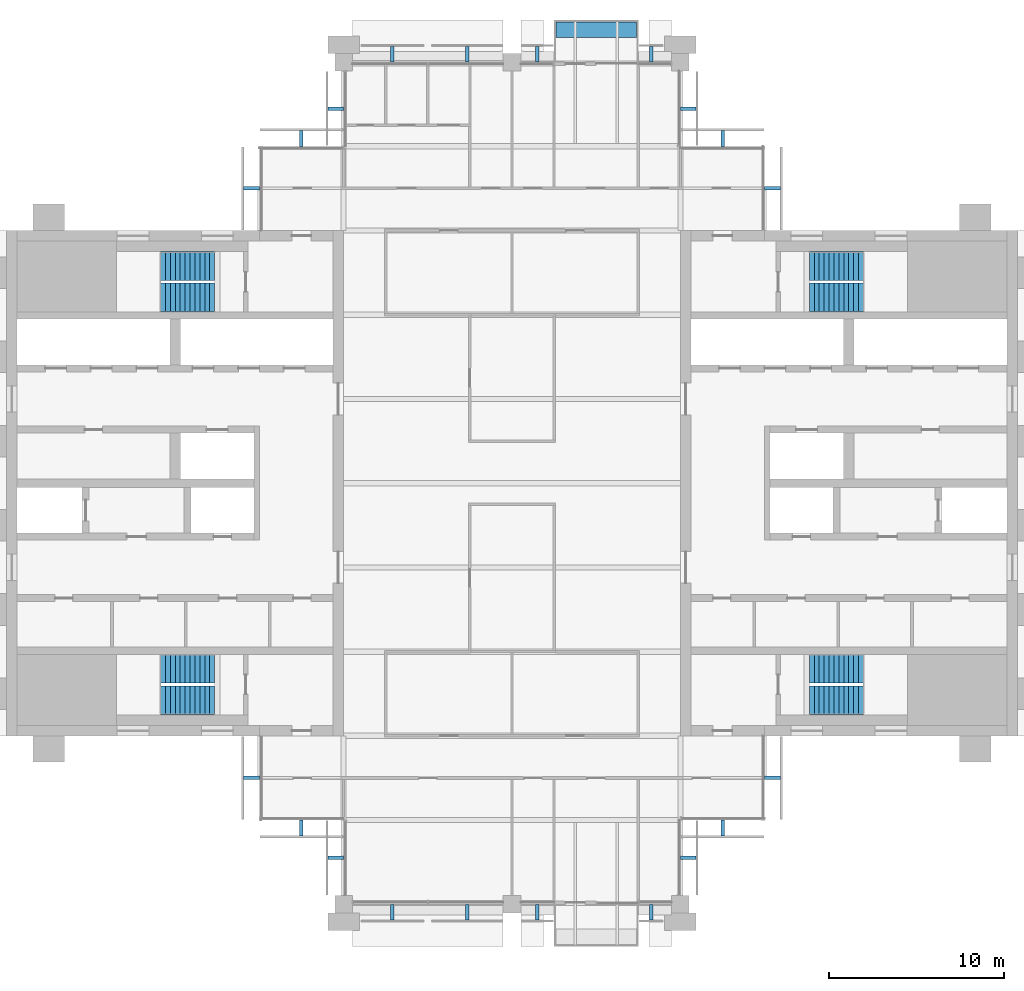
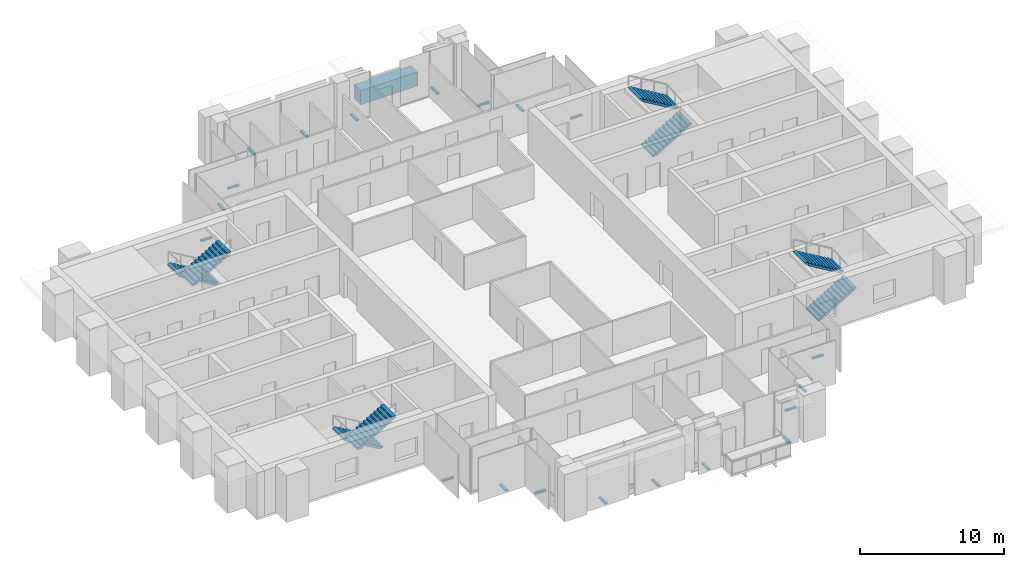
# One storey, part 12 of 13: 20 discrete accessories, 8 stair flights, 1 wall, 4 elements without a shape of their own.
"""IFC4 building model written with IfcOpenShell, lengths in metres."""

from ifc_helpers import new_model, si_unit, direction, frame, frame_2d, origin, origin_2d, place, context, subcontext, project, spatial, polyline, rectangle, outline, extrude, material, layer, layer_set, type_object, element, aggregate, save


model = new_model("IFC4")

# Units and contexts
model_context = context("Model", 3, precision=1e-05, world=origin(), true_north=direction((0.0, 1.0)))
body_context = subcontext(model_context, "Body", "Model", "MODEL_VIEW")
ifc_project = project(units=[si_unit("LENGTHUNIT", "METRE"), si_unit("AREAUNIT", "SQUARE_METRE"), si_unit("VOLUMEUNIT", "CUBIC_METRE"), si_unit("PLANEANGLEUNIT", "RADIAN"), si_unit("MASSUNIT", "GRAM", prefix="KILO")], contexts=[model_context])

# Site, building, storey
site_placement = place(None, origin())
site = spatial("IfcSite", under=ifc_project, at=site_placement, CompositionType="ELEMENT")
building_placement = place(site_placement, origin())
building = spatial("IfcBuilding", under=site, at=building_placement, Name="Baori Bourse Tower", CompositionType="ELEMENT")
storey_placement = place(building_placement, frame((0.0, 0.0, 302.300048828125)))
storey = spatial("IfcBuildingStorey", under=building, at=storey_placement, Name="L66", CompositionType="ELEMENT", Elevation=302.300048828125)

# Wall
ifc_material_1 = material(Name="Concrete f'c 40 MPa", Category="concrete")
ifc_layer = layer(ifc_material_1, 0.89990234375)
ifc_layer_set = layer_set([ifc_layer], Name="PW1 Planter wall")
wall_type = type_object("IfcWallType", Name="PW1 Planter wall", PredefinedType="USERDEFINED", material=ifc_layer_set)
wall_placement = place(storey_placement, frame((31.300048828125, 49.85009765625, 0.0), z_axis=(0.0, 0.0, 1.0), x_axis=(1.0, 0.0, 0.0)))
element("IfcWall", 1, at=wall_placement, inside=storey, type_object=wall_type, Name="Planter balcony N L66 2", ObjectType="PLANTER", PredefinedType="USERDEFINED", context=body_context, shape_type="SweptSolid", body=[
    extrude(rectangle(XDim=4.599853515625, YDim=0.89990234375, at=frame_2d((2.2998046875, 0.0))), origin(), (0.0, 0.0, 1.0), 1.199951171875),
])

# Stair, stair flights
ifc_material_2 = material(Name="Concrete f'c 50 MPa", Category="concrete")
stair_type = type_object("IfcStairType", Name="Core stair", PredefinedType="HALF_TURN_STAIR", material=ifc_material_2)
stair_1_placement = place(storey_placement, origin())
stair_1 = element("IfcStair", 2, at=stair_1_placement, inside=storey, type_object=stair_type, Name="L66 Stair WA", PredefinedType="HALF_TURN_STAIR")
ifc_material_3 = material(Name="Concrete f'c 50 MPa", Category="concrete")
stair_flight_type = type_object("IfcStairFlightType", Name="Core stair flight", PredefinedType="STRAIGHT", material=ifc_material_3)
stair_flight_1_placement = place(storey_placement, frame((11.85009765625, 13.425048828125, 0.0), z_axis=(0.0, 0.0, 1.0), x_axis=(-1.0, 0.0, 0.0)))
stair_flight_1 = element("IfcStairFlight", 3, at=stair_flight_1_placement, type_object=stair_flight_type, Name="ST1 flight 1", NumberOfRisers=12, NumberOfTreads=11, PredefinedType="STRAIGHT", RiserHeight=0.166666667, TreadLength=0.28, context=body_context, shape_type="SweptSolid", body=[
    extrude(outline(polyline([(0.0, 0.0), (0.0, 0.166748046875), (0.280029296875, 0.166748046875), (0.280029296875, 0.333251953125), (0.56005859375, 0.333251953125), (0.56005859375, 0.5), (0.840087890625, 0.5), (0.840087890625, 0.666748046875), (1.1201171875, 0.666748046875), (1.1201171875, 0.833251953125), (1.39990234375, 0.833251953125), (1.39990234375, 1.0), (1.679931640625, 1.0), (1.679931640625, 1.166748046875), (1.9599609375, 1.166748046875), (1.9599609375, 1.333251953125), (2.239990234375, 1.333251953125), (2.239990234375, 1.5), (2.52001953125, 1.5), (2.52001953125, 1.666748046875), (2.800048828125, 1.666748046875), (2.800048828125, 1.833251953125), (3.080078125, 1.833251953125), (3.080078125, 2.0), (3.080078125, 1.658935546875), (0.29296875, 0.0), (0.0, 0.0)])), frame((0.0, 0.824951171875, 0.0), z_axis=(0.0, -1.0, 0.0), x_axis=(1.0, 0.0, 0.0)), (0.0, 0.0, 1.0), 1.64990234375),
])
stair_flight_2_placement = place(storey_placement, frame((8.77001953125, 11.625, 2.0), z_axis=(0.0, 0.0, 1.0), x_axis=(1.0, 0.0, 0.0)))
stair_flight_2 = element("IfcStairFlight", 4, at=stair_flight_2_placement, type_object=stair_flight_type, Name="ST1 flight 2", NumberOfRisers=12, NumberOfTreads=11, PredefinedType="STRAIGHT", RiserHeight=0.166666667, TreadLength=0.28, context=body_context, shape_type="SweptSolid", body=[
    extrude(outline(polyline([(0.0, 0.0), (0.0, 0.166748046875), (0.280029296875, 0.166748046875), (0.280029296875, 0.333251953125), (0.56005859375, 0.333251953125), (0.56005859375, 0.5), (0.840087890625, 0.5), (0.840087890625, 0.666748046875), (1.1201171875, 0.666748046875), (1.1201171875, 0.833251953125), (1.39990234375, 0.833251953125), (1.39990234375, 1.0), (1.679931640625, 1.0), (1.679931640625, 1.166748046875), (1.9599609375, 1.166748046875), (1.9599609375, 1.333251953125), (2.239990234375, 1.333251953125), (2.239990234375, 1.5), (2.52001953125, 1.5), (2.52001953125, 1.666748046875), (2.800048828125, 1.666748046875), (2.800048828125, 1.833251953125), (3.080078125, 1.833251953125), (3.080078125, 2.0), (3.080078125, 1.658935546875), (0.29296875, 0.0), (0.0, 0.0)])), frame((0.0, 0.824951171875, 0.0), z_axis=(0.0, -1.0, 0.0), x_axis=(1.0, 0.0, 0.0)), (0.0, 0.0, 1.0), 1.64990234375),
])
aggregate(stair_1, [stair_flight_1, stair_flight_2])

stair_2_placement = place(storey_placement, origin())
stair_2 = element("IfcStair", 5, at=stair_2_placement, inside=storey, type_object=stair_type, Name="L66 Stair WB", PredefinedType="HALF_TURN_STAIR")
stair_flight_3_placement = place(storey_placement, frame((11.85009765625, 36.375, 0.0), z_axis=(0.0, 0.0, 1.0), x_axis=(-1.0, 0.0, 0.0)))
stair_flight_3 = element("IfcStairFlight", 6, at=stair_flight_3_placement, type_object=stair_flight_type, Name="ST2 flight 1", NumberOfRisers=12, NumberOfTreads=11, PredefinedType="STRAIGHT", RiserHeight=0.166666667, TreadLength=0.28, context=body_context, shape_type="SweptSolid", body=[
    extrude(outline(polyline([(0.0, 0.0), (0.0, 0.166748046875), (0.280029296875, 0.166748046875), (0.280029296875, 0.333251953125), (0.56005859375, 0.333251953125), (0.56005859375, 0.5), (0.840087890625, 0.5), (0.840087890625, 0.666748046875), (1.1201171875, 0.666748046875), (1.1201171875, 0.833251953125), (1.39990234375, 0.833251953125), (1.39990234375, 1.0), (1.679931640625, 1.0), (1.679931640625, 1.166748046875), (1.9599609375, 1.166748046875), (1.9599609375, 1.333251953125), (2.239990234375, 1.333251953125), (2.239990234375, 1.5), (2.52001953125, 1.5), (2.52001953125, 1.666748046875), (2.800048828125, 1.666748046875), (2.800048828125, 1.833251953125), (3.080078125, 1.833251953125), (3.080078125, 2.0), (3.080078125, 1.658935546875), (0.29296875, 0.0), (0.0, 0.0)])), frame((0.0, 0.824951171875, 0.0), z_axis=(0.0, -1.0, 0.0), x_axis=(1.0, 0.0, 0.0)), (0.0, 0.0, 1.0), 1.64990234375),
])
stair_flight_4_placement = place(storey_placement, frame((8.77001953125, 34.574951171875, 2.0), z_axis=(0.0, 0.0, 1.0), x_axis=(1.0, 0.0, 0.0)))
stair_flight_4 = element("IfcStairFlight", 7, at=stair_flight_4_placement, type_object=stair_flight_type, Name="ST2 flight 2", NumberOfRisers=12, NumberOfTreads=11, PredefinedType="STRAIGHT", RiserHeight=0.166666667, TreadLength=0.28, context=body_context, shape_type="SweptSolid", body=[
    extrude(outline(polyline([(0.0, 0.0), (0.0, 0.166748046875), (0.280029296875, 0.166748046875), (0.280029296875, 0.333251953125), (0.56005859375, 0.333251953125), (0.56005859375, 0.5), (0.840087890625, 0.5), (0.840087890625, 0.666748046875), (1.1201171875, 0.666748046875), (1.1201171875, 0.833251953125), (1.39990234375, 0.833251953125), (1.39990234375, 1.0), (1.679931640625, 1.0), (1.679931640625, 1.166748046875), (1.9599609375, 1.166748046875), (1.9599609375, 1.333251953125), (2.239990234375, 1.333251953125), (2.239990234375, 1.5), (2.52001953125, 1.5), (2.52001953125, 1.666748046875), (2.800048828125, 1.666748046875), (2.800048828125, 1.833251953125), (3.080078125, 1.833251953125), (3.080078125, 2.0), (3.080078125, 1.658935546875), (0.29296875, 0.0), (0.0, 0.0)])), frame((0.0, 0.824951171875, 0.0), z_axis=(0.0, -1.0, 0.0), x_axis=(1.0, 0.0, 0.0)), (0.0, 0.0, 1.0), 1.64990234375),
])
aggregate(stair_2, [stair_flight_3, stair_flight_4])

stair_3_placement = place(storey_placement, origin())
stair_3 = element("IfcStair", 8, at=stair_3_placement, inside=storey, type_object=stair_type, Name="L66 Stair EA", PredefinedType="HALF_TURN_STAIR")
stair_flight_5_placement = place(storey_placement, frame((45.75, 11.625, 0.0), z_axis=(0.0, 0.0, 1.0), x_axis=(1.0, 0.0, 0.0)))
stair_flight_5 = element("IfcStairFlight", 9, at=stair_flight_5_placement, type_object=stair_flight_type, Name="ST3 flight 1", NumberOfRisers=12, NumberOfTreads=11, PredefinedType="STRAIGHT", RiserHeight=0.166666667, TreadLength=0.28, context=body_context, shape_type="SweptSolid", body=[
    extrude(outline(polyline([(0.0, 0.0), (0.0, 0.166748046875), (0.280029296875, 0.166748046875), (0.280029296875, 0.333251953125), (0.56005859375, 0.333251953125), (0.56005859375, 0.5), (0.840087890625, 0.5), (0.840087890625, 0.666748046875), (1.1201171875, 0.666748046875), (1.1201171875, 0.833251953125), (1.39990234375, 0.833251953125), (1.39990234375, 1.0), (1.679931640625, 1.0), (1.679931640625, 1.166748046875), (1.9599609375, 1.166748046875), (1.9599609375, 1.333251953125), (2.239990234375, 1.333251953125), (2.239990234375, 1.5), (2.52001953125, 1.5), (2.52001953125, 1.666748046875), (2.800048828125, 1.666748046875), (2.800048828125, 1.833251953125), (3.080078125, 1.833251953125), (3.080078125, 2.0), (3.080078125, 1.658935546875), (0.29296875, 0.0), (0.0, 0.0)])), frame((0.0, 0.824951171875, 0.0), z_axis=(0.0, -1.0, 0.0), x_axis=(1.0, 0.0, 0.0)), (0.0, 0.0, 1.0), 1.64990234375),
])
stair_flight_6_placement = place(storey_placement, frame((48.830078125, 13.425048828125, 2.0), z_axis=(0.0, 0.0, 1.0), x_axis=(-1.0, 0.0, 0.0)))
stair_flight_6 = element("IfcStairFlight", 10, at=stair_flight_6_placement, type_object=stair_flight_type, Name="ST3 flight 2", NumberOfRisers=12, NumberOfTreads=11, PredefinedType="STRAIGHT", RiserHeight=0.166666667, TreadLength=0.28, context=body_context, shape_type="SweptSolid", body=[
    extrude(outline(polyline([(0.0, 0.0), (0.0, 0.166748046875), (0.280029296875, 0.166748046875), (0.280029296875, 0.333251953125), (0.56005859375, 0.333251953125), (0.56005859375, 0.5), (0.840087890625, 0.5), (0.840087890625, 0.666748046875), (1.1201171875, 0.666748046875), (1.1201171875, 0.833251953125), (1.39990234375, 0.833251953125), (1.39990234375, 1.0), (1.679931640625, 1.0), (1.679931640625, 1.166748046875), (1.9599609375, 1.166748046875), (1.9599609375, 1.333251953125), (2.239990234375, 1.333251953125), (2.239990234375, 1.5), (2.52001953125, 1.5), (2.52001953125, 1.666748046875), (2.800048828125, 1.666748046875), (2.800048828125, 1.833251953125), (3.080078125, 1.833251953125), (3.080078125, 2.0), (3.080078125, 1.658935546875), (0.29296875, 0.0), (0.0, 0.0)])), frame((0.0, 0.824951171875, 0.0), z_axis=(0.0, -1.0, 0.0), x_axis=(1.0, 0.0, 0.0)), (0.0, 0.0, 1.0), 1.64990234375),
])
aggregate(stair_3, [stair_flight_5, stair_flight_6])

stair_4_placement = place(storey_placement, origin())
stair_4 = element("IfcStair", 11, at=stair_4_placement, inside=storey, type_object=stair_type, Name="L66 Stair EB", PredefinedType="HALF_TURN_STAIR")
stair_flight_7_placement = place(storey_placement, frame((45.75, 34.574951171875, 0.0), z_axis=(0.0, 0.0, 1.0), x_axis=(1.0, 0.0, 0.0)))
stair_flight_7 = element("IfcStairFlight", 12, at=stair_flight_7_placement, type_object=stair_flight_type, Name="ST4 flight 1", NumberOfRisers=12, NumberOfTreads=11, PredefinedType="STRAIGHT", RiserHeight=0.166666667, TreadLength=0.28, context=body_context, shape_type="SweptSolid", body=[
    extrude(outline(polyline([(0.0, 0.0), (0.0, 0.166748046875), (0.280029296875, 0.166748046875), (0.280029296875, 0.333251953125), (0.56005859375, 0.333251953125), (0.56005859375, 0.5), (0.840087890625, 0.5), (0.840087890625, 0.666748046875), (1.1201171875, 0.666748046875), (1.1201171875, 0.833251953125), (1.39990234375, 0.833251953125), (1.39990234375, 1.0), (1.679931640625, 1.0), (1.679931640625, 1.166748046875), (1.9599609375, 1.166748046875), (1.9599609375, 1.333251953125), (2.239990234375, 1.333251953125), (2.239990234375, 1.5), (2.52001953125, 1.5), (2.52001953125, 1.666748046875), (2.800048828125, 1.666748046875), (2.800048828125, 1.833251953125), (3.080078125, 1.833251953125), (3.080078125, 2.0), (3.080078125, 1.658935546875), (0.29296875, 0.0), (0.0, 0.0)])), frame((0.0, 0.824951171875, 0.0), z_axis=(0.0, -1.0, 0.0), x_axis=(1.0, 0.0, 0.0)), (0.0, 0.0, 1.0), 1.64990234375),
])
stair_flight_8_placement = place(storey_placement, frame((48.830078125, 36.375, 2.0), z_axis=(0.0, 0.0, 1.0), x_axis=(-1.0, 0.0, 0.0)))
stair_flight_8 = element("IfcStairFlight", 13, at=stair_flight_8_placement, type_object=stair_flight_type, Name="ST4 flight 2", NumberOfRisers=12, NumberOfTreads=11, PredefinedType="STRAIGHT", RiserHeight=0.166666667, TreadLength=0.28, context=body_context, shape_type="SweptSolid", body=[
    extrude(outline(polyline([(0.0, 0.0), (0.0, 0.166748046875), (0.280029296875, 0.166748046875), (0.280029296875, 0.333251953125), (0.56005859375, 0.333251953125), (0.56005859375, 0.5), (0.840087890625, 0.5), (0.840087890625, 0.666748046875), (1.1201171875, 0.666748046875), (1.1201171875, 0.833251953125), (1.39990234375, 0.833251953125), (1.39990234375, 1.0), (1.679931640625, 1.0), (1.679931640625, 1.166748046875), (1.9599609375, 1.166748046875), (1.9599609375, 1.333251953125), (2.239990234375, 1.333251953125), (2.239990234375, 1.5), (2.52001953125, 1.5), (2.52001953125, 1.666748046875), (2.800048828125, 1.666748046875), (2.800048828125, 1.833251953125), (3.080078125, 1.833251953125), (3.080078125, 2.0), (3.080078125, 1.658935546875), (0.29296875, 0.0), (0.0, 0.0)])), frame((0.0, 0.824951171875, 0.0), z_axis=(0.0, -1.0, 0.0), x_axis=(1.0, 0.0, 0.0)), (0.0, 0.0, 1.0), 1.64990234375),
])
aggregate(stair_4, [stair_flight_7, stair_flight_8])

# Discrete accessories
ifc_material_4 = material(Name="Pale anodised aluminium", Category="aluminium")
discrete_accessory_type = type_object("IfcDiscreteAccessoryType", Name="OS2 Outer skin bracket", PredefinedType="BRACKET", material=ifc_material_4)
for number, where, z_axis, x_axis, name in (
    (14, (43.64990234375, 40.800048828125, -0.14404296875), (0.0, 0.0, 1.0), (0.0, 1.0, 0.0), "Outer skin bracket L66 1"),
    (15, (40.800048828125, 43.64990234375, -0.14404296875), (0.0, 0.0, 1.0), (-1.0, 0.0, 0.0), "Outer skin bracket L66 2"),
    (16, (38.85009765625, 45.35009765625, -0.14404296875), (0.0, 0.0, 1.0), (0.0, 1.0, 0.0), "Outer skin bracket L66 3"),
    (17, (36.72509765625, 48.449951171875, -0.14404296875), (0.0, 0.0, 1.0), (-1.0, 0.0, 0.0), "Outer skin bracket L66 4"),
    (18, (30.25, 48.449951171875, -0.14404296875), (0.0, 0.0, 1.0), (-1.0, 0.0, 0.0), "Outer skin bracket L66 5"),
    (19, (26.237548828125, 48.449951171875, -0.14404296875), (0.0, 0.0, 1.0), (-1.0, 0.0, 0.0), "Outer skin bracket L66 6"),
    (20, (21.987548828125, 48.449951171875, -0.14404296875), (0.0, 0.0, 1.0), (-1.0, 0.0, 0.0), "Outer skin bracket L66 7"),
    (21, (18.75, 45.35009765625, -0.14404296875), (0.0, 0.0, 1.0), (0.0, -1.0, 0.0), "Outer skin bracket L66 8"),
    (22, (16.800048828125, 43.64990234375, -0.14404296875), (0.0, 0.0, 1.0), (-1.0, 0.0, 0.0), "Outer skin bracket L66 9"),
    (23, (13.949951171875, 40.800048828125, -0.14404296875), (0.0, 0.0, 1.0), (0.0, -1.0, 0.0), "Outer skin bracket L66 10"),
    (24, (13.949951171875, 7.199951171875, -0.14404296875), (0.0, 0.0, 1.0), (0.0, -1.0, 0.0), "Outer skin bracket L66 11"),
    (25, (16.800048828125, 4.35009765625, -0.14404296875), (0.0, 0.0, 1.0), (1.0, 0.0, 0.0), "Outer skin bracket L66 12"),
    (26, (18.75, 2.64990234375, -0.14404296875), (0.0, 0.0, 1.0), (0.0, -1.0, 0.0), "Outer skin bracket L66 13"),
    (27, (21.987548828125, -0.449951171875, -0.14404296875), (0.0, 0.0, 1.0), (1.0, 0.0, 0.0), "Outer skin bracket L66 14"),
    (28, (26.237548828125, -0.449951171875, -0.14404296875), (0.0, 0.0, 1.0), (1.0, 0.0, 0.0), "Outer skin bracket L66 15"),
    (29, (30.25, -0.449951171875, -0.14404296875), (0.0, 0.0, 1.0), (1.0, 0.0, 0.0), "Outer skin bracket L66 16"),
    (30, (36.72509765625, -0.449951171875, -0.14404296875), (0.0, 0.0, 1.0), (1.0, 0.0, 0.0), "Outer skin bracket L66 17"),
    (31, (38.85009765625, 2.64990234375, -0.14404296875), (0.0, 0.0, 1.0), (0.0, 1.0, 0.0), "Outer skin bracket L66 18"),
    (32, (40.800048828125, 4.35009765625, -0.14404296875), (0.0, 0.0, 1.0), (1.0, 0.0, 0.0), "Outer skin bracket L66 19"),
    (33, (43.64990234375, 7.199951171875, -0.14404296875), (0.0, 0.0, 1.0), (0.0, 1.0, 0.0), "Outer skin bracket L66 20"),
):
    element("IfcDiscreteAccessory", number, at=place(storey_placement, frame(where, z_axis=z_axis, x_axis=x_axis)), inside=storey, type_object=discrete_accessory_type, Name=name, PredefinedType="BRACKET", context=body_context, shape_type="SweptSolid", body=[
        extrude(rectangle(XDim=0.199951171875, YDim=0.89990234375, at=origin_2d()), origin(), (0.0, 0.0, 1.0), 0.1279296875),
    ])

save(model, "model.ifc")
